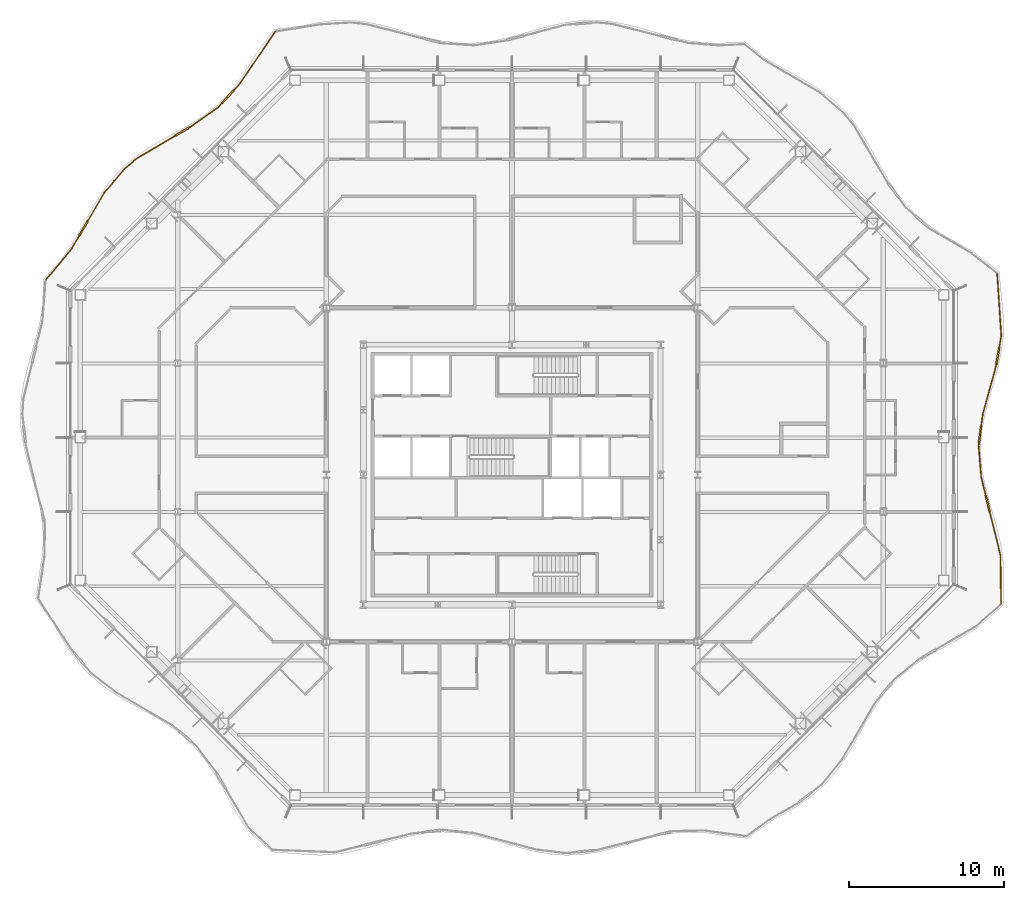
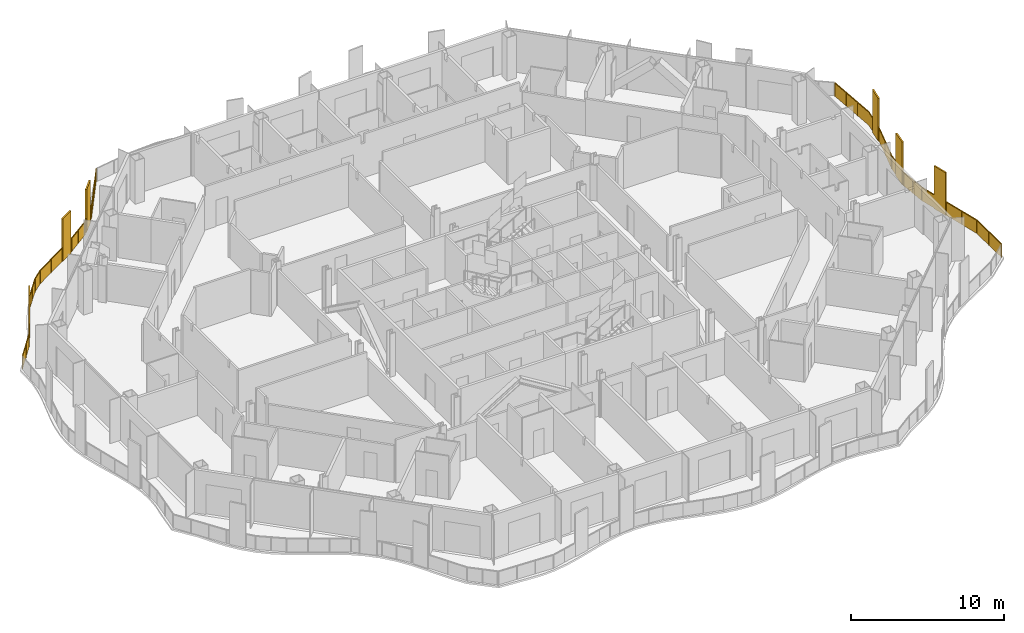
# One storey, part 20 of 21: 2 railings.
"""IFC4 building model written with IfcOpenShell, lengths in metres."""

from ifc_helpers import new_model, si_unit, direction, frame, origin, origin_2d, place, context, subcontext, project, spatial, polyline, rectangle, outline, extrude, material, type_object, element, save


model = new_model("IFC4")

# Units and contexts
model_context = context("Model", 3, precision=1e-05, world=origin(), true_north=direction((0.0, 1.0)))
body_context = subcontext(model_context, "Body", "Model", "MODEL_VIEW")
ifc_project = project(units=[si_unit("LENGTHUNIT", "METRE"), si_unit("AREAUNIT", "SQUARE_METRE"), si_unit("VOLUMEUNIT", "CUBIC_METRE"), si_unit("PLANEANGLEUNIT", "RADIAN"), si_unit("MASSUNIT", "GRAM", prefix="KILO")], contexts=[model_context])

# Site, building, storey
site_placement = place(None, origin())
site = spatial("IfcSite", under=ifc_project, at=site_placement, CompositionType="ELEMENT")
building_placement = place(site_placement, origin())
building = spatial("IfcBuilding", under=site, at=building_placement, Name="Cairn Pilgrim Tower", CompositionType="ELEMENT")
storey_placement = place(building_placement, frame((0.0, 0.0, 136.199951171875)))
storey = spatial("IfcBuildingStorey", under=building, at=storey_placement, Name="L33", CompositionType="ELEMENT", Elevation=136.199951171875)

# Railings
ifc_material = material(Name="Bronze anodised aluminium rail, posts and fin screens with laminated glass infill", Category="aluminium")
railing_type = type_object("IfcRailingType", Name="BALCONY GUARD WITH FIN SCREENS", PredefinedType="GUARDRAIL", material=ifc_material)
railing_1_placement = place(storey_placement, frame((38.80908203125, -5.958740234375, 0.0)))
element("IfcRailing", 1, at=railing_1_placement, inside=storey, type_object=railing_type, Name="Balcony guard BGF-3 with fin screens", PredefinedType="GUARDRAIL", context=body_context, shape_type="SweptSolid", body=[
    extrude(rectangle(XDim=0.050048828125, YDim=0.050048828125, at=origin_2d()), frame((0.0, 0.0, 1.0751953125), z_axis=(-0.012280859678, 0.999924587399, 0.0), x_axis=(-0.999924587399, -0.012280859678, 0.0)), (0.0, 0.0, 1.0), 3.160888671875),
    extrude(rectangle(XDim=1.10009765625, YDim=0.110107421875, at=origin_2d()), frame((-0.863525390625, 6.5009765625, 0.0), z_axis=(0.0, 0.0, 1.0), x_axis=(-0.239728091287, 0.970840070376, 0.0)), (0.0, 0.0, 1.0), 3.39990234375),
    extrude(rectangle(XDim=0.050048828125, YDim=0.050048828125, at=origin_2d()), frame((-0.038818359375, 3.16064453125, 1.0751953125), z_axis=(-0.239728091287, 0.970840070376, 0.0), x_axis=(-0.970840070376, -0.239728091287, 0.0)), (0.0, 0.0, 1.0), 2.890625),
    extrude(rectangle(XDim=0.050048828125, YDim=0.050048828125, at=origin_2d()), frame((-0.995361328125, 7.034912109375, 1.0751953125), z_axis=(-0.239728091287, 0.970840070376, 0.0), x_axis=(-0.970840070376, -0.239728091287, 0.0)), (0.0, 0.0, 1.0), 1.208251953125),
    extrude(rectangle(XDim=0.050048828125, YDim=0.050048828125, at=origin_2d()), frame((-1.28515625, 8.2080078125, 1.0751953125), z_axis=(-0.083094599713, 0.996541663704, 0.0), x_axis=(-0.996541663704, -0.083094599713, 0.0)), (0.0, 0.0, 1.0), 2.056640625),
    extrude(rectangle(XDim=1.10009765625, YDim=0.110107421875, at=origin_2d()), frame((-1.36083984375, 10.950927734375, 0.0), z_axis=(0.0, 0.0, 1.0), x_axis=(0.135977747115, 0.990711891667, 0.0)), (0.0, 0.0, 1.0), 3.39990234375),
    extrude(rectangle(XDim=0.050048828125, YDim=0.050048828125, at=origin_2d()), frame((-1.4560546875, 10.257568359375, 1.0751953125), z_axis=(0.135977747115, 0.990711891667, 0.0), x_axis=(-0.990711891667, 0.135977747115, 0.0)), (0.0, 0.0, 1.0), 0.14990234375),
    extrude(rectangle(XDim=0.050048828125, YDim=0.050048828125, at=origin_2d()), frame((-1.2861328125, 11.495849609375, 1.0751953125), z_axis=(0.135977747115, 0.990711891667, 0.0), x_axis=(-0.990711891667, 0.135977747115, 0.0)), (0.0, 0.0, 1.0), 0.816650390625),
    extrude(rectangle(XDim=0.050048828125, YDim=0.050048828125, at=origin_2d()), frame((-1.175048828125, 12.304931640625, 1.0751953125), z_axis=(0.266547734682, 0.963821718543, 0.0), x_axis=(-0.963821718543, 0.266547734682, 0.0)), (0.0, 0.0, 1.0), 3.148193359375),
    extrude(rectangle(XDim=1.10009765625, YDim=0.110107421875, at=origin_2d()), frame((-0.21484375, 16.028564453125, 0.0), z_axis=(0.0, 0.0, 1.0), x_axis=(0.172871240221, 0.98494443209, 0.0)), (0.0, 0.0, 1.0), 3.39990234375),
    extrude(rectangle(XDim=0.050048828125, YDim=0.050048828125, at=origin_2d()), frame((-0.3359375, 15.339111328125, 1.0751953125), z_axis=(0.172871240221, 0.98494443209, 0.0), x_axis=(-0.98494443209, 0.172871240221, 0.0)), (0.0, 0.0, 1.0), 0.150146484375),
    extrude(rectangle(XDim=0.050048828125, YDim=0.050048828125, at=origin_2d()), frame((-0.119873046875, 16.5703125, 1.0751953125), z_axis=(0.172871240221, 0.98494443209, 0.0), x_axis=(-0.98494443209, 0.172871240221, 0.0)), (0.0, 0.0, 1.0), 0.776611328125),
    extrude(rectangle(XDim=0.050048828125, YDim=0.050048828125, at=origin_2d()), frame((0.014404296875, 17.335205078125, 1.0751953125), z_axis=(-0.066183899104, 0.997807442095, 0.0), x_axis=(-0.997807442095, -0.066183899104, 0.0)), (0.0, 0.0, 1.0), 4.013427734375),
    extrude(rectangle(XDim=0.050048828125, YDim=0.050048828125, at=origin_2d()), origin(), (0.0, 0.0, 1.0), 1.050048828125),
    extrude(rectangle(XDim=0.050048828125, YDim=0.050048828125, at=origin_2d()), frame((-0.01953125, 1.580322265625, 0.0)), (0.0, 0.0, 1.0), 1.050048828125),
    extrude(rectangle(XDim=0.050048828125, YDim=0.050048828125, at=origin_2d()), frame((-0.038818359375, 3.16064453125, 0.0)), (0.0, 0.0, 1.0), 1.050048828125),
    extrude(rectangle(XDim=0.050048828125, YDim=0.050048828125, at=origin_2d()), frame((-0.38232421875, 4.5517578125, 0.0)), (0.0, 0.0, 1.0), 1.050048828125),
    extrude(rectangle(XDim=0.050048828125, YDim=0.050048828125, at=origin_2d()), frame((-0.725830078125, 5.942626953125, 0.0)), (0.0, 0.0, 1.0), 1.050048828125),
    extrude(rectangle(XDim=0.050048828125, YDim=0.050048828125, at=origin_2d()), frame((-1.00146484375, 7.05908203125, 0.0)), (0.0, 0.0, 1.0), 1.050048828125),
    extrude(rectangle(XDim=0.050048828125, YDim=0.050048828125, at=origin_2d()), frame((-1.28515625, 8.2080078125, 0.0)), (0.0, 0.0, 1.0), 1.050048828125),
    extrude(rectangle(XDim=0.050048828125, YDim=0.050048828125, at=origin_2d()), frame((-1.37060546875, 9.23291015625, 0.0)), (0.0, 0.0, 1.0), 1.050048828125),
    extrude(rectangle(XDim=0.050048828125, YDim=0.050048828125, at=origin_2d()), frame((-1.4560546875, 10.257568359375, 0.0)), (0.0, 0.0, 1.0), 1.050048828125),
    extrude(rectangle(XDim=0.050048828125, YDim=0.050048828125, at=origin_2d()), frame((-1.43896484375, 10.38134765625, 0.0)), (0.0, 0.0, 1.0), 1.050048828125),
    extrude(rectangle(XDim=0.050048828125, YDim=0.050048828125, at=origin_2d()), frame((-1.28271484375, 11.520751953125, 0.0)), (0.0, 0.0, 1.0), 1.050048828125),
    extrude(rectangle(XDim=0.050048828125, YDim=0.050048828125, at=origin_2d()), frame((-1.175048828125, 12.304931640625, 0.0)), (0.0, 0.0, 1.0), 1.050048828125),
    extrude(rectangle(XDim=0.050048828125, YDim=0.050048828125, at=origin_2d()), frame((-0.75537109375, 13.822021484375, 0.0)), (0.0, 0.0, 1.0), 1.050048828125),
    extrude(rectangle(XDim=0.050048828125, YDim=0.050048828125, at=origin_2d()), frame((-0.3359375, 15.339111328125, 0.0)), (0.0, 0.0, 1.0), 1.050048828125),
    extrude(rectangle(XDim=0.050048828125, YDim=0.050048828125, at=origin_2d()), frame((-0.314208984375, 15.462158203125, 0.0)), (0.0, 0.0, 1.0), 1.050048828125),
    extrude(rectangle(XDim=0.050048828125, YDim=0.050048828125, at=origin_2d()), frame((-0.115478515625, 16.594970703125, 0.0)), (0.0, 0.0, 1.0), 1.050048828125),
    extrude(rectangle(XDim=0.050048828125, YDim=0.050048828125, at=origin_2d()), frame((0.014404296875, 17.335205078125, 0.0)), (0.0, 0.0, 1.0), 1.050048828125),
    extrude(rectangle(XDim=0.050048828125, YDim=0.050048828125, at=origin_2d()), frame((-0.07421875, 18.670166015625, 0.0)), (0.0, 0.0, 1.0), 1.050048828125),
    extrude(rectangle(XDim=0.050048828125, YDim=0.050048828125, at=origin_2d()), frame((-0.16259765625, 20.0048828125, 0.0)), (0.0, 0.0, 1.0), 1.050048828125),
    extrude(rectangle(XDim=0.050048828125, YDim=0.050048828125, at=origin_2d()), frame((-0.251220703125, 21.33984375, 0.0)), (0.0, 0.0, 1.0), 1.050048828125),
    extrude(outline(polyline([(0.02490234375, 0.0), (1.555419921875, 0.0), (1.555419921875, 1.050048828125), (0.02490234375, 1.050048828125), (0.02490234375, 0.0)])), frame((-0.005859375, 0.0, 0.0), z_axis=(0.999924587399, 0.012280859678, 0.0), x_axis=(-0.012280859678, 0.999924587399, 0.0)), (0.0, 0.0, 1.0), 0.011962890625),
    extrude(outline(polyline([(0.02490234375, 0.0), (1.555419921875, 0.0), (1.555419921875, 1.050048828125), (0.02490234375, 1.050048828125), (0.02490234375, 0.0)])), frame((-0.025390625, 1.580322265625, 0.0), z_axis=(0.999924587399, 0.012280859678, 0.0), x_axis=(-0.012280859678, 0.999924587399, 0.0)), (0.0, 0.0, 1.0), 0.011962890625),
    extrude(outline(polyline([(0.02490234375, 0.0), (1.40771484375, 0.0), (1.40771484375, 1.050048828125), (0.02490234375, 1.050048828125), (0.02490234375, 0.0)])), frame((-0.044677734375, 3.1591796875, 0.0), z_axis=(0.970840070376, 0.239728091287, 0.0), x_axis=(-0.239728091287, 0.970840070376, 0.0)), (0.0, 0.0, 1.0), 0.011962890625),
    extrude(outline(polyline([(0.02490234375, 0.0), (1.40771484375, 0.0), (1.40771484375, 1.050048828125), (0.02490234375, 1.050048828125), (0.02490234375, 0.0)])), frame((-0.38818359375, 4.55029296875, 0.0), z_axis=(0.970840070376, 0.239728091287, 0.0), x_axis=(-0.239728091287, 0.970840070376, 0.0)), (0.0, 0.0, 1.0), 0.011962890625),
    extrude(outline(polyline([(0.02490234375, 0.0), (1.158203125, 0.0), (1.158203125, 1.050048828125), (0.02490234375, 1.050048828125), (0.02490234375, 0.0)])), frame((-1.00732421875, 7.057861328125, 0.0), z_axis=(0.970840070376, 0.239728091287, 0.0), x_axis=(-0.239728091287, 0.970840070376, 0.0)), (0.0, 0.0, 1.0), 0.011962890625),
    extrude(outline(polyline([(0.02490234375, 0.0), (1.00341796875, 0.0), (1.00341796875, 1.050048828125), (0.02490234375, 1.050048828125), (0.02490234375, 0.0)])), frame((-1.291015625, 8.20751953125, 0.0), z_axis=(0.996541663704, 0.083094599713, 0.0), x_axis=(-0.083094599713, 0.996541663704, 0.0)), (0.0, 0.0, 1.0), 0.011962890625),
    extrude(outline(polyline([(0.02490234375, 0.0), (1.00341796875, 0.0), (1.00341796875, 1.050048828125), (0.02490234375, 1.050048828125), (0.02490234375, 0.0)])), frame((-1.37646484375, 9.232177734375, 0.0), z_axis=(0.996541663704, 0.083094599713, 0.0), x_axis=(-0.083094599713, 0.996541663704, 0.0)), (0.0, 0.0, 1.0), 0.011962890625),
    extrude(outline(polyline([(0.02490234375, 0.0), (0.099853515625, 0.0), (0.099853515625, 1.050048828125), (0.02490234375, 1.050048828125), (0.02490234375, 0.0)])), frame((-1.4619140625, 10.25830078125, 0.0), z_axis=(0.990711891667, -0.135977747115, 0.0), x_axis=(0.135977747115, 0.990711891667, 0.0)), (0.0, 0.0, 1.0), 0.011962890625),
    extrude(outline(polyline([(0.02490234375, 0.0), (0.7666015625, 0.0), (0.7666015625, 1.050048828125), (0.02490234375, 1.050048828125), (0.02490234375, 0.0)])), frame((-1.28857421875, 11.521484375, 0.0), z_axis=(0.990711891667, -0.135977747115, 0.0), x_axis=(0.135977747115, 0.990711891667, 0.0)), (0.0, 0.0, 1.0), 0.011962890625),
    extrude(outline(polyline([(0.02490234375, 0.0), (1.549072265625, 0.0), (1.549072265625, 1.050048828125), (0.02490234375, 1.050048828125), (0.02490234375, 0.0)])), frame((-1.180908203125, 12.306640625, 0.0), z_axis=(0.963821718543, -0.266547734682, 0.0), x_axis=(0.266547734682, 0.963821718543, 0.0)), (0.0, 0.0, 1.0), 0.011962890625),
    extrude(outline(polyline([(0.02490234375, 0.0), (1.549072265625, 0.0), (1.549072265625, 1.050048828125), (0.02490234375, 1.050048828125), (0.02490234375, 0.0)])), frame((-0.76123046875, 13.82373046875, 0.0), z_axis=(0.963821718543, -0.266547734682, 0.0), x_axis=(0.266547734682, 0.963821718543, 0.0)), (0.0, 0.0, 1.0), 0.011962890625),
    extrude(outline(polyline([(0.02490234375, 0.0), (0.10009765625, 0.0), (0.10009765625, 1.050048828125), (0.02490234375, 1.050048828125), (0.02490234375, 0.0)])), frame((-0.341796875, 15.340087890625, 0.0), z_axis=(0.98494443209, -0.172871240221, 0.0), x_axis=(0.172871240221, 0.98494443209, 0.0)), (0.0, 0.0, 1.0), 0.011962890625),
    extrude(outline(polyline([(0.02490234375, 0.0), (0.7265625, 0.0), (0.7265625, 1.050048828125), (0.02490234375, 1.050048828125), (0.02490234375, 0.0)])), frame((-0.121337890625, 16.595947265625, 0.0), z_axis=(0.98494443209, -0.172871240221, 0.0), x_axis=(0.172871240221, 0.98494443209, 0.0)), (0.0, 0.0, 1.0), 0.011962890625),
    extrude(outline(polyline([(0.02490234375, 0.0), (1.312744140625, 0.0), (1.312744140625, 1.050048828125), (0.02490234375, 1.050048828125), (0.02490234375, 0.0)])), frame((0.008544921875, 17.334716796875, 0.0), z_axis=(0.997807442095, 0.066183899104, 0.0), x_axis=(-0.066183899104, 0.997807442095, 0.0)), (0.0, 0.0, 1.0), 0.011962890625),
    extrude(outline(polyline([(0.02490234375, 0.0), (1.312744140625, 0.0), (1.312744140625, 1.050048828125), (0.02490234375, 1.050048828125), (0.02490234375, 0.0)])), frame((-0.080078125, 18.669677734375, 0.0), z_axis=(0.997807442095, 0.066183899104, 0.0), x_axis=(-0.066183899104, 0.997807442095, 0.0)), (0.0, 0.0, 1.0), 0.011962890625),
    extrude(outline(polyline([(0.02490234375, 0.0), (1.312744140625, 0.0), (1.312744140625, 1.050048828125), (0.02490234375, 1.050048828125), (0.02490234375, 0.0)])), frame((-0.168701171875, 20.004638671875, 0.0), z_axis=(0.997807442095, 0.066183899104, 0.0), x_axis=(-0.066183899104, 0.997807442095, 0.0)), (0.0, 0.0, 1.0), 0.011962890625),
])
railing_2_placement = place(storey_placement, frame((-8.101318359375, 31.050048828125, 0.0)))
element("IfcRailing", 2, at=railing_2_placement, inside=storey, type_object=railing_type, Name="Balcony guard BGF-6 with fin screens", PredefinedType="GUARDRAIL", context=body_context, shape_type="SweptSolid", body=[
    extrude(rectangle(XDim=0.050048828125, YDim=0.050048828125, at=origin_2d()), frame((0.0, 0.0, 1.0751953125), z_axis=(-0.561392691301, -0.827549543021, 0.0), x_axis=(0.827549543021, -0.561392691301, 0.0)), (0.0, 0.0, 1.0), 4.0634765625),
    extrude(rectangle(XDim=1.10009765625, YDim=0.110107421875, at=origin_2d()), frame((-3.072998046875, -4.228271484375, 0.0), z_axis=(0.0, 0.0, 1.0), x_axis=(-0.674905306533, -0.737904348282, 0.0)), (0.0, 0.0, 1.0), 3.39990234375),
    extrude(rectangle(XDim=0.050048828125, YDim=0.050048828125, at=origin_2d()), frame((-2.28125, -3.36279296875, 1.0751953125), z_axis=(-0.674905306533, -0.737904348282, 0.0), x_axis=(0.737904348282, -0.674905306533, 0.0)), (0.0, 0.0, 1.0), 0.623046875),
    extrude(rectangle(XDim=0.050048828125, YDim=0.050048828125, at=origin_2d()), frame((-3.444091796875, -4.63427734375, 1.0751953125), z_axis=(-0.674905306533, -0.737904348282, 0.0), x_axis=(0.737904348282, -0.674905306533, 0.0)), (0.0, 0.0, 1.0), 0.342529296875),
    extrude(rectangle(XDim=0.050048828125, YDim=0.050048828125, at=origin_2d()), frame((-3.67529296875, -4.886962890625, 1.0751953125), z_axis=(-0.816802599354, -0.576917250295, 0.0), x_axis=(0.576917250295, -0.816802599354, 0.0)), (0.0, 0.0, 1.0), 2.08837890625),
    extrude(rectangle(XDim=1.10009765625, YDim=0.110107421875, at=origin_2d()), frame((-5.98291015625, -6.449462890625, 0.0), z_axis=(0.0, 0.0, 1.0), x_axis=(-0.859590451173, -0.510983616423, 0.0)), (0.0, 0.0, 1.0), 3.39990234375),
    extrude(rectangle(XDim=0.050048828125, YDim=0.050048828125, at=origin_2d()), frame((-5.381103515625, -6.091796875, 1.0751953125), z_axis=(-0.859590451173, -0.510983616423, 0.0), x_axis=(0.510983616423, -0.859590451173, 0.0)), (0.0, 0.0, 1.0), 0.14990234375),
    extrude(rectangle(XDim=0.050048828125, YDim=0.050048828125, at=origin_2d()), frame((-6.45556640625, -6.73046875, 1.0751953125), z_axis=(-0.859590451173, -0.510983616423, 0.0), x_axis=(0.510983616423, -0.859590451173, 0.0)), (0.0, 0.0, 1.0), 2.9462890625),
    extrude(rectangle(XDim=0.050048828125, YDim=0.050048828125, at=origin_2d()), frame((-8.98828125, -8.236083984375, 1.0751953125), z_axis=(-0.765120746252, -0.643886825191, 0.0), x_axis=(0.643886825191, -0.765120746252, 0.0)), (0.0, 0.0, 1.0), 0.996826171875),
    extrude(rectangle(XDim=0.050048828125, YDim=0.050048828125, at=origin_2d()), frame((-9.7509765625, -8.8779296875, 1.0751953125), z_axis=(-0.644742833772, -0.764399554095, 0.0), x_axis=(0.764399554095, -0.644742833772, 0.0)), (0.0, 0.0, 1.0), 2.017822265625),
    extrude(rectangle(XDim=1.10009765625, YDim=0.110107421875, at=origin_2d()), frame((-12.4013671875, -12.735107421875, 0.0), z_axis=(0.0, 0.0, 1.0), x_axis=(-0.503618682683, -0.863926051496, 0.0)), (0.0, 0.0, 1.0), 3.39990234375),
    extrude(rectangle(XDim=0.050048828125, YDim=0.050048828125, at=origin_2d()), frame((-11.052001953125, -10.42041015625, 1.0751953125), z_axis=(-0.503618682683, -0.863926051496, 0.0), x_axis=(0.863926051496, -0.503618682683, 0.0)), (0.0, 0.0, 1.0), 2.129150390625),
    extrude(rectangle(XDim=0.050048828125, YDim=0.050048828125, at=origin_2d()), frame((-12.67822265625, -13.210205078125, 1.0751953125), z_axis=(-0.503618682683, -0.863926051496, 0.0), x_axis=(0.863926051496, -0.503618682683, 0.0)), (0.0, 0.0, 1.0), 0.98193359375),
    extrude(rectangle(XDim=0.050048828125, YDim=0.050048828125, at=origin_2d()), frame((-13.1728515625, -14.05859375, 1.0751953125), z_axis=(-0.637915043438, -0.77010674413, 0.0), x_axis=(0.77010674413, -0.637915043438, 0.0)), (0.0, 0.0, 1.0), 2.574462890625),
    extrude(rectangle(XDim=0.050048828125, YDim=0.050048828125, at=origin_2d()), origin(), (0.0, 0.0, 1.0), 1.050048828125),
    extrude(rectangle(XDim=0.050048828125, YDim=0.050048828125, at=origin_2d()), frame((-0.760498046875, -1.120849609375, 0.0)), (0.0, 0.0, 1.0), 1.050048828125),
    extrude(rectangle(XDim=0.050048828125, YDim=0.050048828125, at=origin_2d()), frame((-1.520751953125, -2.241943359375, 0.0)), (0.0, 0.0, 1.0), 1.050048828125),
    extrude(rectangle(XDim=0.050048828125, YDim=0.050048828125, at=origin_2d()), frame((-2.28125, -3.36279296875, 0.0)), (0.0, 0.0, 1.0), 1.050048828125),
    extrude(rectangle(XDim=0.050048828125, YDim=0.050048828125, at=origin_2d()), frame((-2.684814453125, -3.803955078125, 0.0)), (0.0, 0.0, 1.0), 1.050048828125),
    extrude(rectangle(XDim=0.050048828125, YDim=0.050048828125, at=origin_2d()), frame((-3.4609375, -4.652587890625, 0.0)), (0.0, 0.0, 1.0), 1.050048828125),
    extrude(rectangle(XDim=0.050048828125, YDim=0.050048828125, at=origin_2d()), frame((-3.67529296875, -4.886962890625, 0.0)), (0.0, 0.0, 1.0), 1.050048828125),
    extrude(rectangle(XDim=0.050048828125, YDim=0.050048828125, at=origin_2d()), frame((-4.5283203125, -5.4892578125, 0.0)), (0.0, 0.0, 1.0), 1.050048828125),
    extrude(rectangle(XDim=0.050048828125, YDim=0.050048828125, at=origin_2d()), frame((-5.381103515625, -6.091796875, 0.0)), (0.0, 0.0, 1.0), 1.050048828125),
    extrude(rectangle(XDim=0.050048828125, YDim=0.050048828125, at=origin_2d()), frame((-5.488525390625, -6.15576171875, 0.0)), (0.0, 0.0, 1.0), 1.050048828125),
    extrude(rectangle(XDim=0.050048828125, YDim=0.050048828125, at=origin_2d()), frame((-6.47705078125, -6.743408203125, 0.0)), (0.0, 0.0, 1.0), 1.050048828125),
    extrude(rectangle(XDim=0.050048828125, YDim=0.050048828125, at=origin_2d()), frame((-7.732666015625, -7.48974609375, 0.0)), (0.0, 0.0, 1.0), 1.050048828125),
    extrude(rectangle(XDim=0.050048828125, YDim=0.050048828125, at=origin_2d()), frame((-8.98828125, -8.236083984375, 0.0)), (0.0, 0.0, 1.0), 1.050048828125),
    extrude(rectangle(XDim=0.050048828125, YDim=0.050048828125, at=origin_2d()), frame((-9.7509765625, -8.8779296875, 0.0)), (0.0, 0.0, 1.0), 1.050048828125),
    extrude(rectangle(XDim=0.050048828125, YDim=0.050048828125, at=origin_2d()), frame((-10.4013671875, -9.649169921875, 0.0)), (0.0, 0.0, 1.0), 1.050048828125),
    extrude(rectangle(XDim=0.050048828125, YDim=0.050048828125, at=origin_2d()), frame((-11.052001953125, -10.42041015625, 0.0)), (0.0, 0.0, 1.0), 1.050048828125),
    extrude(rectangle(XDim=0.050048828125, YDim=0.050048828125, at=origin_2d()), frame((-11.581787109375, -11.329345703125, 0.0)), (0.0, 0.0, 1.0), 1.050048828125),
    extrude(rectangle(XDim=0.050048828125, YDim=0.050048828125, at=origin_2d()), frame((-12.11181640625, -12.23828125, 0.0)), (0.0, 0.0, 1.0), 1.050048828125),
    extrude(rectangle(XDim=0.050048828125, YDim=0.050048828125, at=origin_2d()), frame((-12.69091796875, -13.231689453125, 0.0)), (0.0, 0.0, 1.0), 1.050048828125),
    extrude(rectangle(XDim=0.050048828125, YDim=0.050048828125, at=origin_2d()), frame((-13.1728515625, -14.05859375, 0.0)), (0.0, 0.0, 1.0), 1.050048828125),
    extrude(rectangle(XDim=0.050048828125, YDim=0.050048828125, at=origin_2d()), frame((-13.994140625, -15.0498046875, 0.0)), (0.0, 0.0, 1.0), 1.050048828125),
    extrude(rectangle(XDim=0.050048828125, YDim=0.050048828125, at=origin_2d()), frame((-14.815185546875, -16.041259765625, 0.0)), (0.0, 0.0, 1.0), 1.050048828125),
    extrude(outline(polyline([(0.02490234375, 0.0), (1.32958984375, 0.0), (1.32958984375, 1.050048828125), (0.02490234375, 1.050048828125), (0.02490234375, 0.0)])), frame((0.0048828125, -0.00341796875, 0.0), z_axis=(-0.827549543021, 0.561392691301, 0.0), x_axis=(-0.561392691301, -0.827549543021, 0.0)), (0.0, 0.0, 1.0), 0.011962890625),
    extrude(outline(polyline([(0.02490234375, 0.0), (1.32958984375, 0.0), (1.32958984375, 1.050048828125), (0.02490234375, 1.050048828125), (0.02490234375, 0.0)])), frame((-0.75537109375, -1.124267578125, 0.0), z_axis=(-0.827549543021, 0.561392691301, 0.0), x_axis=(-0.561392691301, -0.827549543021, 0.0)), (0.0, 0.0, 1.0), 0.011962890625),
    extrude(outline(polyline([(0.02490234375, 0.0), (1.32958984375, 0.0), (1.32958984375, 1.050048828125), (0.02490234375, 1.050048828125), (0.02490234375, 0.0)])), frame((-1.515869140625, -2.2451171875, 0.0), z_axis=(-0.827549543021, 0.561392691301, 0.0), x_axis=(-0.561392691301, -0.827549543021, 0.0)), (0.0, 0.0, 1.0), 0.011962890625),
    extrude(outline(polyline([(0.02490234375, 0.0), (0.572998046875, 0.0), (0.572998046875, 1.050048828125), (0.02490234375, 1.050048828125), (0.02490234375, 0.0)])), frame((-2.27685546875, -3.366943359375, 0.0), z_axis=(-0.737904348282, 0.674905306533, 0.0), x_axis=(-0.674905306533, -0.737904348282, 0.0)), (0.0, 0.0, 1.0), 0.011962890625),
    extrude(outline(polyline([(0.02490234375, 0.0), (0.29248046875, 0.0), (0.29248046875, 1.050048828125), (0.02490234375, 1.050048828125), (0.02490234375, 0.0)])), frame((-3.45654296875, -4.65673828125, 0.0), z_axis=(-0.737904348282, 0.674905306533, 0.0), x_axis=(-0.674905306533, -0.737904348282, 0.0)), (0.0, 0.0, 1.0), 0.011962890625),
    extrude(outline(polyline([(0.02490234375, 0.0), (1.019287109375, 0.0), (1.019287109375, 1.050048828125), (0.02490234375, 1.050048828125), (0.02490234375, 0.0)])), frame((-3.671875, -4.891845703125, 0.0), z_axis=(-0.576917250295, 0.816802599354, 0.0), x_axis=(-0.816802599354, -0.576917250295, 0.0)), (0.0, 0.0, 1.0), 0.011962890625),
    extrude(outline(polyline([(0.02490234375, 0.0), (1.019287109375, 0.0), (1.019287109375, 1.050048828125), (0.02490234375, 1.050048828125), (0.02490234375, 0.0)])), frame((-4.524658203125, -5.494384765625, 0.0), z_axis=(-0.576917250295, 0.816802599354, 0.0), x_axis=(-0.816802599354, -0.576917250295, 0.0)), (0.0, 0.0, 1.0), 0.011962890625),
    extrude(outline(polyline([(0.02490234375, 0.0), (0.099853515625, 0.0), (0.099853515625, 1.050048828125), (0.02490234375, 1.050048828125), (0.02490234375, 0.0)])), frame((-5.3779296875, -6.096923828125, 0.0), z_axis=(-0.510983616423, 0.859590451173, 0.0), x_axis=(-0.859590451173, -0.510983616423, 0.0)), (0.0, 0.0, 1.0), 0.011962890625),
    extrude(outline(polyline([(0.02490234375, 0.0), (1.435546875, 0.0), (1.435546875, 1.050048828125), (0.02490234375, 1.050048828125), (0.02490234375, 0.0)])), frame((-6.47412109375, -6.74853515625, 0.0), z_axis=(-0.510983616423, 0.859590451173, 0.0), x_axis=(-0.859590451173, -0.510983616423, 0.0)), (0.0, 0.0, 1.0), 0.011962890625),
    extrude(outline(polyline([(0.02490234375, 0.0), (1.435546875, 0.0), (1.435546875, 1.050048828125), (0.02490234375, 1.050048828125), (0.02490234375, 0.0)])), frame((-7.729736328125, -7.494873046875, 0.0), z_axis=(-0.510983616423, 0.859590451173, 0.0), x_axis=(-0.859590451173, -0.510983616423, 0.0)), (0.0, 0.0, 1.0), 0.011962890625),
    extrude(outline(polyline([(0.02490234375, 0.0), (0.971923828125, 0.0), (0.971923828125, 1.050048828125), (0.02490234375, 1.050048828125), (0.02490234375, 0.0)])), frame((-8.984375, -8.24072265625, 0.0), z_axis=(-0.643886825191, 0.765120746252, 0.0), x_axis=(-0.765120746252, -0.643886825191, 0.0)), (0.0, 0.0, 1.0), 0.011962890625),
    extrude(outline(polyline([(0.02490234375, 0.0), (0.98388671875, 0.0), (0.98388671875, 1.050048828125), (0.02490234375, 1.050048828125), (0.02490234375, 0.0)])), frame((-9.746337890625, -8.8818359375, 0.0), z_axis=(-0.764399554095, 0.644742833772, 0.0), x_axis=(-0.644742833772, -0.764399554095, 0.0)), (0.0, 0.0, 1.0), 0.011962890625),
    extrude(outline(polyline([(0.02490234375, 0.0), (0.98388671875, 0.0), (0.98388671875, 1.050048828125), (0.02490234375, 1.050048828125), (0.02490234375, 0.0)])), frame((-10.39697265625, -9.653076171875, 0.0), z_axis=(-0.764399554095, 0.644742833772, 0.0), x_axis=(-0.644742833772, -0.764399554095, 0.0)), (0.0, 0.0, 1.0), 0.011962890625),
    extrude(outline(polyline([(0.02490234375, 0.0), (1.027099609375, 0.0), (1.027099609375, 1.050048828125), (0.02490234375, 1.050048828125), (0.02490234375, 0.0)])), frame((-11.046875, -10.42333984375, 0.0), z_axis=(-0.863926051496, 0.503618682683, 0.0), x_axis=(-0.503618682683, -0.863926051496, 0.0)), (0.0, 0.0, 1.0), 0.011962890625),
    extrude(outline(polyline([(0.02490234375, 0.0), (1.027099609375, 0.0), (1.027099609375, 1.050048828125), (0.02490234375, 1.050048828125), (0.02490234375, 0.0)])), frame((-11.57666015625, -11.332275390625, 0.0), z_axis=(-0.863926051496, 0.503618682683, 0.0), x_axis=(-0.503618682683, -0.863926051496, 0.0)), (0.0, 0.0, 1.0), 0.011962890625),
    extrude(outline(polyline([(0.02490234375, 0.0), (0.931884765625, 0.0), (0.931884765625, 1.050048828125), (0.02490234375, 1.050048828125), (0.02490234375, 0.0)])), frame((-12.685791015625, -13.23486328125, 0.0), z_axis=(-0.863926051496, 0.503618682683, 0.0), x_axis=(-0.503618682683, -0.863926051496, 0.0)), (0.0, 0.0, 1.0), 0.011962890625),
    extrude(outline(polyline([(0.02490234375, 0.0), (1.26220703125, 0.0), (1.26220703125, 1.050048828125), (0.02490234375, 1.050048828125), (0.02490234375, 0.0)])), frame((-13.168212890625, -14.0625, 0.0), z_axis=(-0.77010674413, 0.637915043438, 0.0), x_axis=(-0.637915043438, -0.77010674413, 0.0)), (0.0, 0.0, 1.0), 0.011962890625),
    extrude(outline(polyline([(0.02490234375, 0.0), (1.26220703125, 0.0), (1.26220703125, 1.050048828125), (0.02490234375, 1.050048828125), (0.02490234375, 0.0)])), frame((-13.989501953125, -15.0537109375, 0.0), z_axis=(-0.77010674413, 0.637915043438, 0.0), x_axis=(-0.637915043438, -0.77010674413, 0.0)), (0.0, 0.0, 1.0), 0.011962890625),
])

save(model, "model.ifc")
